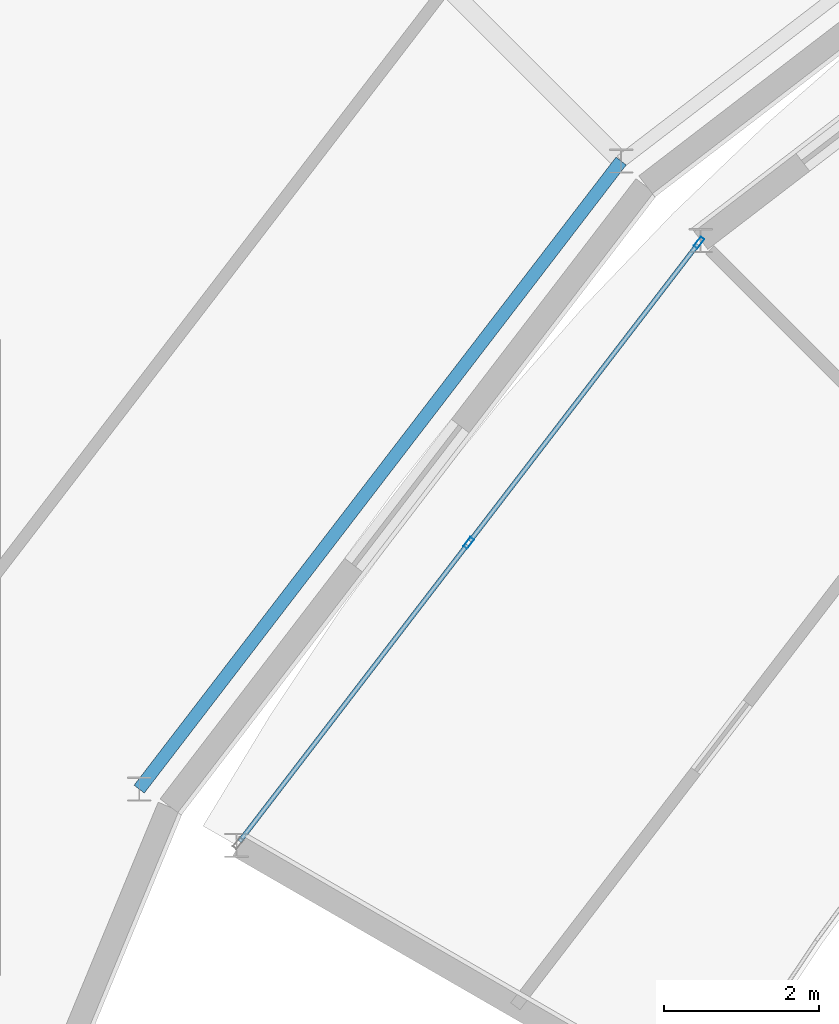
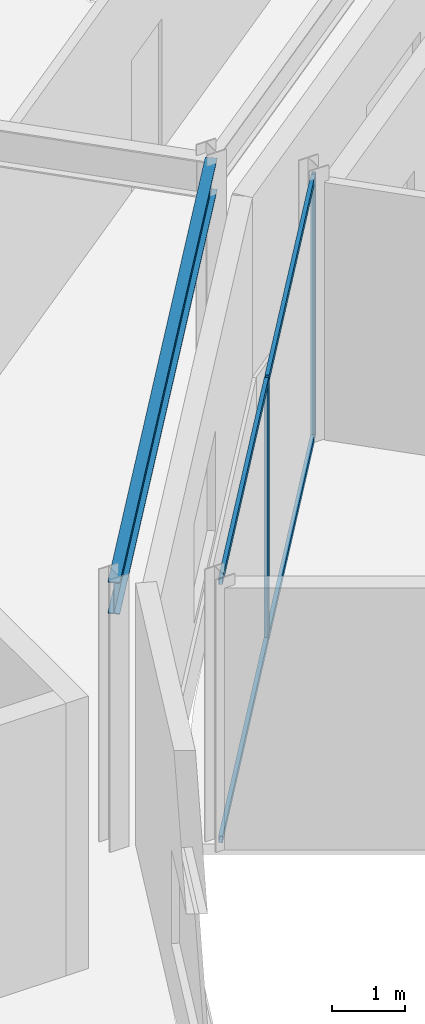
# One storey, part 38 of 116: 6 members, 1 beam, 1 element without a shape of its own.
"""IFC4 building model written with IfcOpenShell, lengths in metres."""

from ifc_helpers import new_model, si_unit, direction, frame, origin, origin_2d, place, context, subcontext, project, spatial, hollow_rectangle, i_section, extrude, material, material_profile, profile_set, type_object, element, aggregate, save


model = new_model("IFC4")

# Units and contexts
model_context = context("Model", 3, precision=1e-05, world=origin(), true_north=direction((0.0, 1.0)))
body_context = subcontext(model_context, "Body", "Model", "MODEL_VIEW")
ifc_project = project(units=[si_unit("LENGTHUNIT", "METRE"), si_unit("AREAUNIT", "SQUARE_METRE"), si_unit("VOLUMEUNIT", "CUBIC_METRE"), si_unit("PLANEANGLEUNIT", "RADIAN"), si_unit("MASSUNIT", "GRAM", prefix="KILO")], contexts=[model_context])

# Site, building, storey
site_placement = place(None, origin())
site = spatial("IfcSite", under=ifc_project, at=site_placement, CompositionType="ELEMENT")
building_placement = place(site_placement, origin())
building = spatial("IfcBuilding", under=site, at=building_placement, Name="Almandine Court Research Institute", CompositionType="ELEMENT")
storey_placement = place(building_placement, frame((0.0, 0.0, 14.35009765625)))
storey = spatial("IfcBuildingStorey", under=building, at=storey_placement, Name="L03", CompositionType="ELEMENT", Elevation=14.35009765625)

# Beam
ifc_material_1 = material(Name="Steel ASTM A992 Grade 50", Category="steel")
ifc_material_profile_1 = material_profile(ifc_material_1, i_section(OverallWidth=0.166015625, OverallDepth=0.534912109375, WebThickness=0.010009765625, FlangeThickness=0.01708984375, at=origin_2d()), Name="W530x85")
ifc_profile_set_1 = profile_set([ifc_material_profile_1], Name="Steel ASTM A992 Grade 50")
beam_type = type_object("IfcBeamType", Name="Beam-G-05-E", PredefinedType="SPANDREL", material=ifc_profile_set_1)
beam_placement = place(storey_placement, frame((59.35205078125, 83.64794921875, 4.102783203125), z_axis=(-0.608784478787, -0.793335653042, 0.0), x_axis=(0.793335653042, -0.608784478787, 0.0)))
element("IfcBeam", 1, at=beam_placement, inside=storey, type_object=beam_type, Name="L03 Drum IN Ring Beam 09", PredefinedType="SPANDREL", context=body_context, shape_type="SweptSolid", body=[
    extrude(i_section(OverallWidth=0.166015625, OverallDepth=0.534912109375, WebThickness=0.010009765625, FlangeThickness=0.01708984375, at=origin_2d()), origin(), (0.0, 0.0, 1.0), 10.20751953125),
])

# Curtain wall, members
ifc_material_2 = material(Name="Unitised Curtain Wall Framing and Solar Glazing", Category="glass")
curtain_wall_type = type_object("IfcCurtainWallType", Name="CW-CWG-24", PredefinedType="USERDEFINED", material=ifc_material_2)
curtain_wall_placement = place(storey_placement, origin())
curtain_wall = element("IfcCurtainWall", 2, at=curtain_wall_placement, inside=storey, type_object=curtain_wall_type, Name="L03 Interaction Atrium Perimeter Curtain Wall 09", ObjectType="UNITISED GLAZING", PredefinedType="USERDEFINED")
ifc_material_3 = material(Name="Anodised Aluminium AW-6063-T6", Category="aluminium")
ifc_material_profile_2 = material_profile(ifc_material_3, hollow_rectangle(XDim=0.06005859375, YDim=0.14990234375, WallThickness=0.00390625, at=origin_2d()), Name="ALU RHS 60x150x4")
ifc_profile_set_2 = profile_set([ifc_material_profile_2], Name="Anodised Aluminium AW-6063-T6")
member_type_1 = type_object("IfcMemberType", Name="CWMul-60x150", PredefinedType="MULLION", material=ifc_profile_set_2)
member_1_placement = place(storey_placement, frame((57.385498046875, 78.72412109375, 0.0), z_axis=(0.0, 0.0, 1.0), x_axis=(-0.793353924979, 0.608760667029, 0.0)))
member_1 = element("IfcMember", 3, at=member_1_placement, type_object=member_type_1, Name="CWG-24 mullion 2", PredefinedType="MULLION", context=body_context, shape_type="SweptSolid", body=[
    extrude(hollow_rectangle(XDim=0.06005859375, YDim=0.14990234375, WallThickness=0.00390625, at=origin_2d()), origin(), (0.0, 0.0, 1.0), 4.369873046875),
])
member_2_placement = place(storey_placement, frame((60.356689453125, 82.59619140625, 0.0), z_axis=(0.0, 0.0, 1.0), x_axis=(-0.793353924979, 0.608760667029, 0.0)))
member_2 = element("IfcMember", 4, at=member_2_placement, type_object=member_type_1, Name="CWG-24 mullion 3", PredefinedType="MULLION", context=body_context, shape_type="SweptSolid", body=[
    extrude(hollow_rectangle(XDim=0.06005859375, YDim=0.14990234375, WallThickness=0.00390625, at=origin_2d()), origin(), (0.0, 0.0, 1.0), 4.369873046875),
])
ifc_material_profile_3 = material_profile(ifc_material_3, hollow_rectangle(XDim=0.06005859375, YDim=0.110107421875, WallThickness=0.00390625, at=origin_2d()), Name="ALU RHS 60x110x4")
ifc_profile_set_3 = profile_set([ifc_material_profile_3], Name="Anodised Aluminium AW-6063-T6")
member_type_2 = type_object("IfcMemberType", Name="CWTrn-60x110", PredefinedType="NOTDEFINED", material=ifc_profile_set_3)
member_3_placement = place(storey_placement, frame((54.4326171875, 74.87548828125, 0.02978515625), z_axis=(0.608731319349, 0.793376443338, 0.0), x_axis=(-0.793376443338, 0.608731319349, 0.0)))
member_3 = element("IfcMember", 5, at=member_3_placement, type_object=member_type_2, Name="CWG-24 transom 1.1", ObjectType="TRANSOM", PredefinedType="USERDEFINED", context=body_context, shape_type="SweptSolid", body=[
    extrude(hollow_rectangle(XDim=0.06005859375, YDim=0.110107421875, WallThickness=0.00390625, at=origin_2d()), origin(), (0.0, 0.0, 1.0), 4.82080078125),
])
member_4_placement = place(storey_placement, frame((54.4326171875, 74.87548828125, 4.33984375), z_axis=(0.608731319349, 0.793376443338, 0.0), x_axis=(-0.793376443338, 0.608731319349, 0.0)))
member_4 = element("IfcMember", 6, at=member_4_placement, type_object=member_type_2, Name="CWG-24 transom 1.2", ObjectType="TRANSOM", PredefinedType="USERDEFINED", context=body_context, shape_type="SweptSolid", body=[
    extrude(hollow_rectangle(XDim=0.06005859375, YDim=0.110107421875, WallThickness=0.00390625, at=origin_2d()), origin(), (0.0, 0.0, 1.0), 4.82080078125),
])
member_5_placement = place(storey_placement, frame((57.40380859375, 78.747802734375, 0.02978515625), z_axis=(0.608731319349, 0.793376443338, 0.0), x_axis=(-0.793376443338, 0.608731319349, 0.0)))
member_5 = element("IfcMember", 7, at=member_5_placement, type_object=member_type_2, Name="CWG-24 transom 2.1", ObjectType="TRANSOM", PredefinedType="USERDEFINED", context=body_context, shape_type="SweptSolid", body=[
    extrude(hollow_rectangle(XDim=0.06005859375, YDim=0.110107421875, WallThickness=0.00390625, at=origin_2d()), origin(), (0.0, 0.0, 1.0), 4.82080078125),
])
member_6_placement = place(storey_placement, frame((57.40380859375, 78.747802734375, 4.33984375), z_axis=(0.608731319349, 0.793376443338, 0.0), x_axis=(-0.793376443338, 0.608731319349, 0.0)))
member_6 = element("IfcMember", 8, at=member_6_placement, type_object=member_type_2, Name="CWG-24 transom 2.2", ObjectType="TRANSOM", PredefinedType="USERDEFINED", context=body_context, shape_type="SweptSolid", body=[
    extrude(hollow_rectangle(XDim=0.06005859375, YDim=0.110107421875, WallThickness=0.00390625, at=origin_2d()), origin(), (0.0, 0.0, 1.0), 4.82080078125),
])
aggregate(curtain_wall, [member_1, member_2, member_3, member_4, member_5, member_6])

save(model, "model.ifc")
